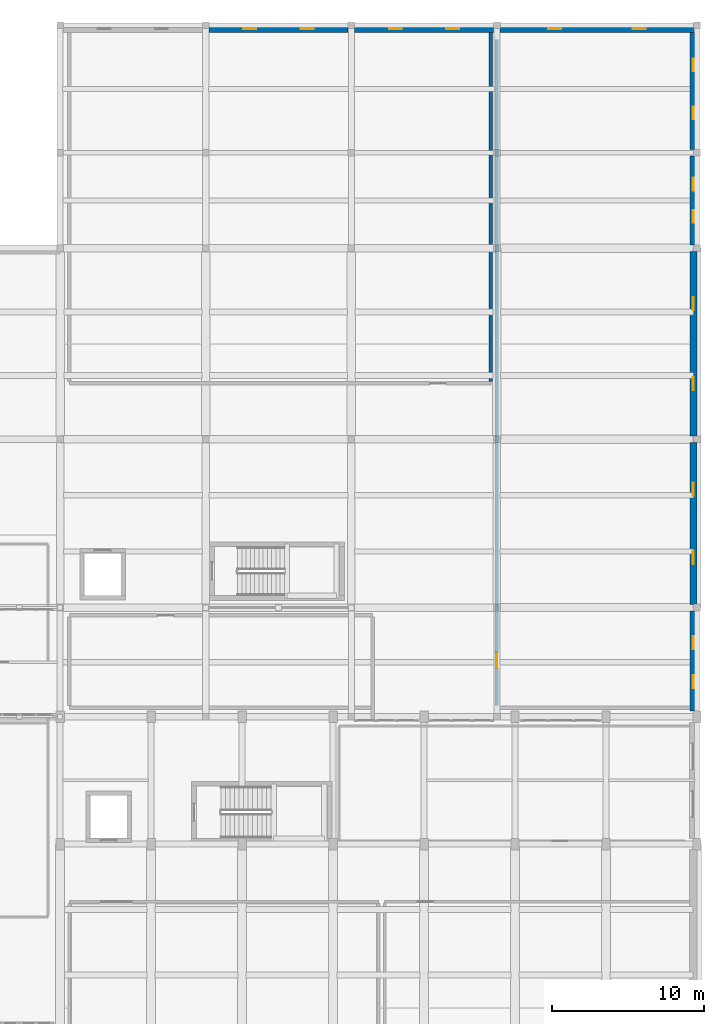
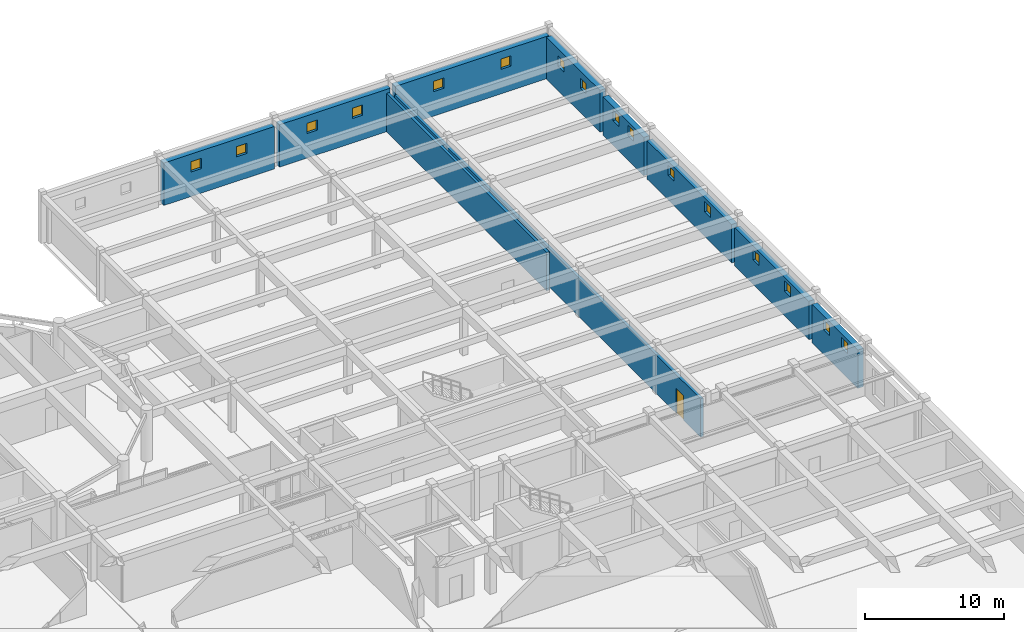
# One storey, part 73 of 92: 16 windows, 10 walls, 1 door, 17 openings.
"""IFC4 building model written with IfcOpenShell, lengths in metres."""

from ifc_helpers import new_model, si_unit, direction, frame, frame_2d, origin, place, context, subcontext, project, spatial, rectangle, extrude, material, layer, layer_set, type_object, element, fill, save


model = new_model("IFC4")

# Units and contexts
model_context = context("Model", 3, precision=1e-05, world=origin(), true_north=direction((0.0, 1.0)))
body_context = subcontext(model_context, "Body", "Model", "MODEL_VIEW")
ifc_project = project(units=[si_unit("LENGTHUNIT", "METRE"), si_unit("AREAUNIT", "SQUARE_METRE"), si_unit("VOLUMEUNIT", "CUBIC_METRE"), si_unit("PLANEANGLEUNIT", "RADIAN"), si_unit("MASSUNIT", "GRAM", prefix="KILO")], contexts=[model_context])

# Site, building, storey
site_placement = place(None, origin())
site = spatial("IfcSite", under=ifc_project, at=site_placement, CompositionType="ELEMENT")
building_placement = place(site_placement, origin())
building = spatial("IfcBuilding", under=site, at=building_placement, Name="Tarnavel Promenade Courthouse", CompositionType="ELEMENT")
storey_placement = place(building_placement, frame((0.0, 0.0, 5.39990234375)))
storey = spatial("IfcBuildingStorey", under=building, at=storey_placement, Name="L02", CompositionType="ELEMENT", Elevation=5.39990234375)

# Wall, openings, windows
ifc_material_1 = material(Name="Concrete C40/50", Category="concrete")
ifc_layer_1 = layer(ifc_material_1, 0.4599609375)
ifc_layer_set_1 = layer_set([ifc_layer_1], Name="Concrete C40/50")
wall_type_1 = type_object("IfcWallType", Name="Concrete C40/50 WL-SEC-460 (460 mm)", PredefinedType="STANDARD", material=ifc_layer_set_1)
wall_1_placement = place(storey_placement, frame((129.81201171875, 112.56005859375, 0.0), z_axis=(0.0, 0.0, 1.0), x_axis=(1.0, 0.0, 0.0)))
wall_1 = element("IfcWall", 1, at=wall_1_placement, inside=storey, type_object=wall_type_1, Name="L02 Custody Block North Security Wall 0413", PredefinedType="STANDARD", context=body_context, shape_type="SweptSolid", body=[
    extrude(rectangle(XDim=9.1708984375, YDim=0.4599609375, at=frame_2d((4.58544921875, 0.0))), origin(), (0.0, 0.0, 1.0), 3.72021484375),
])
opening_1_placement = place(wall_1_placement, frame((2.278076171875, 0.0, 2.14990234375)))
opening_1 = element("IfcOpeningElement", 2, at=opening_1_placement, cuts=wall_1, Name="Opening W-11", PredefinedType="OPENING", context=body_context, shape_type="SweptSolid", body=[
    extrude(rectangle(XDim=0.85009765625, YDim=0.89990234375, at=frame_2d((0.425048828125, 0.449951171875))), frame((0.0, 0.239990234375, 0.0), z_axis=(0.0, -1.0, 0.0), x_axis=(1.0, 0.0, 0.0)), (0.0, 0.0, 1.0), 0.47998046875),
])
opening_2_placement = place(wall_1_placement, frame((6.048095703125, 0.0, 2.14990234375)))
opening_2 = element("IfcOpeningElement", 3, at=opening_2_placement, cuts=wall_1, Name="Opening W-11", PredefinedType="OPENING", context=body_context, shape_type="SweptSolid", body=[
    extrude(rectangle(XDim=0.85009765625, YDim=0.89990234375, at=frame_2d((0.425048828125, 0.449951171875))), frame((0.0, 0.239990234375, 0.0), z_axis=(0.0, -1.0, 0.0), x_axis=(1.0, 0.0, 0.0)), (0.0, 0.0, 1.0), 0.47998046875),
])
ifc_material_2 = material(Name="Triple Low-E Glazed Bronze-Clad Window Assembly")
window_type = type_object("IfcWindowType", Name="Triple-Glazed Bronze-Clad Timber-Aluminium WIN-CUS-0850x0900", PartitioningType="SINGLE_PANEL", PredefinedType="WINDOW", material=ifc_material_2)
window_1_placement = place(opening_1_placement, origin())
window_1 = element("IfcWindow", 4, at=window_1_placement, inside=storey, type_object=window_type, Name="L02 Exterior Window 0505", OverallHeight=0.89990234375, OverallWidth=0.85009765625, PartitioningType="SINGLE_PANEL", PredefinedType="WINDOW", context=body_context, shape_type="SweptSolid", body=[
    extrude(rectangle(XDim=0.85009765625, YDim=0.89990234375, at=frame_2d((0.425048828125, 0.449951171875))), frame((0.0, 0.030029296875, 0.0), z_axis=(0.0, -1.0, 0.0), x_axis=(1.0, 0.0, 0.0)), (0.0, 0.0, 1.0), 0.06005859375),
])
fill(opening_1, window_1)
window_2_placement = place(opening_2_placement, origin())
window_2 = element("IfcWindow", 5, at=window_2_placement, inside=storey, type_object=window_type, Name="L02 Exterior Window 0506", OverallHeight=0.89990234375, OverallWidth=0.85009765625, PartitioningType="SINGLE_PANEL", PredefinedType="WINDOW", context=body_context, shape_type="SweptSolid", body=[
    extrude(rectangle(XDim=0.85009765625, YDim=0.89990234375, at=frame_2d((0.425048828125, 0.449951171875))), frame((0.0, 0.030029296875, 0.0), z_axis=(0.0, -1.0, 0.0), x_axis=(1.0, 0.0, 0.0)), (0.0, 0.0, 1.0), 0.06005859375),
])
fill(opening_2, window_2)

wall_2_placement = place(storey_placement, frame((139.412109375, 112.56005859375, 0.0), z_axis=(0.0, 0.0, 1.0), x_axis=(1.0, 0.0, 0.0)))
wall_2 = element("IfcWall", 6, at=wall_2_placement, inside=storey, type_object=wall_type_1, Name="L02 Custody Block North Security Wall 0414", PredefinedType="STANDARD", context=body_context, shape_type="SweptSolid", body=[
    extrude(rectangle(XDim=9.17578125, YDim=0.4599609375, at=frame_2d((4.587890625, 0.0))), origin(), (0.0, 0.0, 1.0), 3.72021484375),
])
opening_3_placement = place(wall_2_placement, frame((2.278076171875, 0.0, 2.14990234375)))
opening_3 = element("IfcOpeningElement", 7, at=opening_3_placement, cuts=wall_2, Name="Opening W-11", PredefinedType="OPENING", context=body_context, shape_type="SweptSolid", body=[
    extrude(rectangle(XDim=0.85009765625, YDim=0.89990234375, at=frame_2d((0.425048828125, 0.449951171875))), frame((0.0, 0.239990234375, 0.0), z_axis=(0.0, -1.0, 0.0), x_axis=(1.0, 0.0, 0.0)), (0.0, 0.0, 1.0), 0.47998046875),
])
opening_4_placement = place(wall_2_placement, frame((6.048095703125, 0.0, 2.14990234375)))
opening_4 = element("IfcOpeningElement", 8, at=opening_4_placement, cuts=wall_2, Name="Opening W-11", PredefinedType="OPENING", context=body_context, shape_type="SweptSolid", body=[
    extrude(rectangle(XDim=0.85009765625, YDim=0.89990234375, at=frame_2d((0.425048828125, 0.449951171875))), frame((0.0, 0.239990234375, 0.0), z_axis=(0.0, -1.0, 0.0), x_axis=(1.0, 0.0, 0.0)), (0.0, 0.0, 1.0), 0.47998046875),
])
window_3_placement = place(opening_3_placement, origin())
window_3 = element("IfcWindow", 9, at=window_3_placement, inside=storey, type_object=window_type, Name="L02 Exterior Window 0507", OverallHeight=0.89990234375, OverallWidth=0.85009765625, PartitioningType="SINGLE_PANEL", PredefinedType="WINDOW", context=body_context, shape_type="SweptSolid", body=[
    extrude(rectangle(XDim=0.85009765625, YDim=0.89990234375, at=frame_2d((0.425048828125, 0.449951171875))), frame((0.0, 0.030029296875, 0.0), z_axis=(0.0, -1.0, 0.0), x_axis=(1.0, 0.0, 0.0)), (0.0, 0.0, 1.0), 0.06005859375),
])
fill(opening_3, window_3)
window_4_placement = place(opening_4_placement, origin())
window_4 = element("IfcWindow", 10, at=window_4_placement, inside=storey, type_object=window_type, Name="L02 Exterior Window 0508", OverallHeight=0.89990234375, OverallWidth=0.85009765625, PartitioningType="SINGLE_PANEL", PredefinedType="WINDOW", context=body_context, shape_type="SweptSolid", body=[
    extrude(rectangle(XDim=0.85009765625, YDim=0.89990234375, at=frame_2d((0.425048828125, 0.449951171875))), frame((0.0, 0.030029296875, 0.0), z_axis=(0.0, -1.0, 0.0), x_axis=(1.0, 0.0, 0.0)), (0.0, 0.0, 1.0), 0.06005859375),
])
fill(opening_4, window_4)

wall_3_placement = place(storey_placement, frame((149.01708984375, 112.56005859375, 0.0), z_axis=(0.0, 0.0, 1.0), x_axis=(1.0, 0.0, 0.0)))
wall_3 = element("IfcWall", 11, at=wall_3_placement, inside=storey, type_object=wall_type_1, Name="L02 Custody Block North Security Wall 0415", PredefinedType="STANDARD", context=body_context, shape_type="SweptSolid", body=[
    extrude(rectangle(XDim=12.765869140625, YDim=0.4599609375, at=frame_2d((6.3828125, 0.0))), origin(), (0.0, 0.0, 1.0), 3.72021484375),
])
opening_5_placement = place(wall_3_placement, frame((3.173095703125, 0.0, 2.14990234375)))
opening_5 = element("IfcOpeningElement", 12, at=opening_5_placement, cuts=wall_3, Name="Opening W-11", PredefinedType="OPENING", context=body_context, shape_type="SweptSolid", body=[
    extrude(rectangle(XDim=0.85009765625, YDim=0.89990234375, at=frame_2d((0.425048828125, 0.449951171875))), frame((0.0, 0.239990234375, 0.0), z_axis=(0.0, -1.0, 0.0), x_axis=(1.0, 0.0, 0.0)), (0.0, 0.0, 1.0), 0.47998046875),
])
opening_6_placement = place(wall_3_placement, frame((8.742919921875, 0.0, 2.14990234375)))
opening_6 = element("IfcOpeningElement", 13, at=opening_6_placement, cuts=wall_3, Name="Opening W-11", PredefinedType="OPENING", context=body_context, shape_type="SweptSolid", body=[
    extrude(rectangle(XDim=0.85009765625, YDim=0.89990234375, at=frame_2d((0.425048828125, 0.449951171875))), frame((0.0, 0.239990234375, 0.0), z_axis=(0.0, -1.0, 0.0), x_axis=(1.0, 0.0, 0.0)), (0.0, 0.0, 1.0), 0.47998046875),
])
window_5_placement = place(opening_5_placement, origin())
window_5 = element("IfcWindow", 14, at=window_5_placement, inside=storey, type_object=window_type, Name="L02 Exterior Window 0509", OverallHeight=0.89990234375, OverallWidth=0.85009765625, PartitioningType="SINGLE_PANEL", PredefinedType="WINDOW", context=body_context, shape_type="SweptSolid", body=[
    extrude(rectangle(XDim=0.85009765625, YDim=0.89990234375, at=frame_2d((0.425048828125, 0.449951171875))), frame((0.0, 0.030029296875, 0.0), z_axis=(0.0, -1.0, 0.0), x_axis=(1.0, 0.0, 0.0)), (0.0, 0.0, 1.0), 0.06005859375),
])
fill(opening_5, window_5)
window_6_placement = place(opening_6_placement, origin())
window_6 = element("IfcWindow", 15, at=window_6_placement, inside=storey, type_object=window_type, Name="L02 Exterior Window 0510", OverallHeight=0.89990234375, OverallWidth=0.85009765625, PartitioningType="SINGLE_PANEL", PredefinedType="WINDOW", context=body_context, shape_type="SweptSolid", body=[
    extrude(rectangle(XDim=0.85009765625, YDim=0.89990234375, at=frame_2d((0.425048828125, 0.449951171875))), frame((0.0, 0.030029296875, 0.0), z_axis=(0.0, -1.0, 0.0), x_axis=(1.0, 0.0, 0.0)), (0.0, 0.0, 1.0), 0.06005859375),
])
fill(opening_6, window_6)

wall_4_placement = place(storey_placement, frame((161.760009765625, 74.18798828125, 0.0), z_axis=(0.0, 0.0, 1.0), x_axis=(0.0, -1.0, 0.0)))
wall_4 = element("IfcWall", 16, at=wall_4_placement, inside=storey, type_object=wall_type_1, Name="L02 Custody Block East Security Wall 0416", PredefinedType="STANDARD", context=body_context, shape_type="SweptSolid", body=[
    extrude(rectangle(XDim=6.62109375, YDim=0.4599609375, at=frame_2d((3.310546875, 0.0))), origin(), (0.0, 0.0, 1.0), 3.3701171875),
])
opening_7_placement = place(wall_4_placement, frame((1.677978515625, 0.0, 2.14990234375)))
opening_7 = element("IfcOpeningElement", 17, at=opening_7_placement, cuts=wall_4, Name="Opening W-11", PredefinedType="OPENING", context=body_context, shape_type="SweptSolid", body=[
    extrude(rectangle(XDim=0.85009765625, YDim=0.89990234375, at=frame_2d((0.425048828125, 0.449951171875))), frame((0.0, 0.239990234375, 0.0), z_axis=(0.0, -1.0, 0.0), x_axis=(1.0, 0.0, 0.0)), (0.0, 0.0, 1.0), 0.47998046875),
])
opening_8_placement = place(wall_4_placement, frame((4.248046875, 0.0, 2.14990234375)))
opening_8 = element("IfcOpeningElement", 18, at=opening_8_placement, cuts=wall_4, Name="Opening W-11", PredefinedType="OPENING", context=body_context, shape_type="SweptSolid", body=[
    extrude(rectangle(XDim=0.85009765625, YDim=0.89990234375, at=frame_2d((0.425048828125, 0.449951171875))), frame((0.0, 0.239990234375, 0.0), z_axis=(0.0, -1.0, 0.0), x_axis=(1.0, 0.0, 0.0)), (0.0, 0.0, 1.0), 0.47998046875),
])
window_7_placement = place(opening_7_placement, origin())
window_7 = element("IfcWindow", 19, at=window_7_placement, inside=storey, type_object=window_type, Name="L02 Exterior Window 0511", OverallHeight=0.89990234375, OverallWidth=0.85009765625, PartitioningType="SINGLE_PANEL", PredefinedType="WINDOW", context=body_context, shape_type="SweptSolid", body=[
    extrude(rectangle(XDim=0.85009765625, YDim=0.89990234375, at=frame_2d((0.425048828125, 0.449951171875))), frame((0.0, 0.030029296875, 0.0), z_axis=(0.0, -1.0, 0.0), x_axis=(1.0, 0.0, 0.0)), (0.0, 0.0, 1.0), 0.06005859375),
])
fill(opening_7, window_7)
window_8_placement = place(opening_8_placement, origin())
window_8 = element("IfcWindow", 20, at=window_8_placement, inside=storey, type_object=window_type, Name="L02 Exterior Window 0512", OverallHeight=0.89990234375, OverallWidth=0.85009765625, PartitioningType="SINGLE_PANEL", PredefinedType="WINDOW", context=body_context, shape_type="SweptSolid", body=[
    extrude(rectangle(XDim=0.85009765625, YDim=0.89990234375, at=frame_2d((0.425048828125, 0.449951171875))), frame((0.0, 0.030029296875, 0.0), z_axis=(0.0, -1.0, 0.0), x_axis=(1.0, 0.0, 0.0)), (0.0, 0.0, 1.0), 0.06005859375),
])
fill(opening_8, window_8)

wall_5_placement = place(storey_placement, frame((161.760009765625, 85.2880859375, 0.0), z_axis=(0.0, 0.0, 1.0), x_axis=(0.0, -1.0, 0.0)))
wall_5 = element("IfcWall", 21, at=wall_5_placement, inside=storey, type_object=wall_type_1, Name="L02 Custody Block East Security Wall 0417", PredefinedType="STANDARD", context=body_context, shape_type="SweptSolid", body=[
    extrude(rectangle(XDim=10.671142578125, YDim=0.4599609375, at=frame_2d((5.33544921875, 0.0))), origin(), (0.0, 0.0, 1.0), 3.3701171875),
])
opening_9_placement = place(wall_5_placement, frame((2.653076171875, 0.0, 2.14990234375)))
opening_9 = element("IfcOpeningElement", 22, at=opening_9_placement, cuts=wall_5, Name="Opening W-11", PredefinedType="OPENING", context=body_context, shape_type="SweptSolid", body=[
    extrude(rectangle(XDim=0.85009765625, YDim=0.89990234375, at=frame_2d((0.425048828125, 0.449951171875))), frame((0.0, 0.239990234375, 0.0), z_axis=(0.0, -1.0, 0.0), x_axis=(1.0, 0.0, 0.0)), (0.0, 0.0, 1.0), 0.47998046875),
])
opening_10_placement = place(wall_5_placement, frame((7.173095703125, 0.0, 2.14990234375)))
opening_10 = element("IfcOpeningElement", 23, at=opening_10_placement, cuts=wall_5, Name="Opening W-11", PredefinedType="OPENING", context=body_context, shape_type="SweptSolid", body=[
    extrude(rectangle(XDim=0.85009765625, YDim=0.89990234375, at=frame_2d((0.425048828125, 0.449951171875))), frame((0.0, 0.239990234375, 0.0), z_axis=(0.0, -1.0, 0.0), x_axis=(1.0, 0.0, 0.0)), (0.0, 0.0, 1.0), 0.47998046875),
])
window_9_placement = place(opening_9_placement, origin())
window_9 = element("IfcWindow", 24, at=window_9_placement, inside=storey, type_object=window_type, Name="L02 Exterior Window 0513", OverallHeight=0.89990234375, OverallWidth=0.85009765625, PartitioningType="SINGLE_PANEL", PredefinedType="WINDOW", context=body_context, shape_type="SweptSolid", body=[
    extrude(rectangle(XDim=0.85009765625, YDim=0.89990234375, at=frame_2d((0.425048828125, 0.449951171875))), frame((0.0, 0.030029296875, 0.0), z_axis=(0.0, -1.0, 0.0), x_axis=(1.0, 0.0, 0.0)), (0.0, 0.0, 1.0), 0.06005859375),
])
fill(opening_9, window_9)
window_10_placement = place(opening_10_placement, origin())
window_10 = element("IfcWindow", 25, at=window_10_placement, inside=storey, type_object=window_type, Name="L02 Exterior Window 0514", OverallHeight=0.89990234375, OverallWidth=0.85009765625, PartitioningType="SINGLE_PANEL", PredefinedType="WINDOW", context=body_context, shape_type="SweptSolid", body=[
    extrude(rectangle(XDim=0.85009765625, YDim=0.89990234375, at=frame_2d((0.425048828125, 0.449951171875))), frame((0.0, 0.030029296875, 0.0), z_axis=(0.0, -1.0, 0.0), x_axis=(1.0, 0.0, 0.0)), (0.0, 0.0, 1.0), 0.06005859375),
])
fill(opening_10, window_10)

wall_6_placement = place(storey_placement, frame((161.760009765625, 97.883056640625, 0.0), z_axis=(0.0, 0.0, 1.0), x_axis=(0.0, -1.0, 0.0)))
wall_6 = element("IfcWall", 26, at=wall_6_placement, inside=storey, type_object=wall_type_1, Name="L02 Custody Block East Security Wall 0418", PredefinedType="STANDARD", context=body_context, shape_type="SweptSolid", body=[
    extrude(rectangle(XDim=12.171142578125, YDim=0.4599609375, at=frame_2d((6.08544921875, 0.0))), origin(), (0.0, 0.0, 1.0), 3.3701171875),
])
opening_11_placement = place(wall_6_placement, frame((3.02294921875, 0.0, 2.14990234375)))
opening_11 = element("IfcOpeningElement", 27, at=opening_11_placement, cuts=wall_6, Name="Opening W-11", PredefinedType="OPENING", context=body_context, shape_type="SweptSolid", body=[
    extrude(rectangle(XDim=0.85009765625, YDim=0.89990234375, at=frame_2d((0.425048828125, 0.449951171875))), frame((0.0, 0.239990234375, 0.0), z_axis=(0.0, -1.0, 0.0), x_axis=(1.0, 0.0, 0.0)), (0.0, 0.0, 1.0), 0.47998046875),
])
opening_12_placement = place(wall_6_placement, frame((8.29296875, 0.0, 2.14990234375)))
opening_12 = element("IfcOpeningElement", 28, at=opening_12_placement, cuts=wall_6, Name="Opening W-11", PredefinedType="OPENING", context=body_context, shape_type="SweptSolid", body=[
    extrude(rectangle(XDim=0.85009765625, YDim=0.89990234375, at=frame_2d((0.425048828125, 0.449951171875))), frame((0.0, 0.239990234375, 0.0), z_axis=(0.0, -1.0, 0.0), x_axis=(1.0, 0.0, 0.0)), (0.0, 0.0, 1.0), 0.47998046875),
])
window_11_placement = place(opening_11_placement, origin())
window_11 = element("IfcWindow", 29, at=window_11_placement, inside=storey, type_object=window_type, Name="L02 Exterior Window 0515", OverallHeight=0.89990234375, OverallWidth=0.85009765625, PartitioningType="SINGLE_PANEL", PredefinedType="WINDOW", context=body_context, shape_type="SweptSolid", body=[
    extrude(rectangle(XDim=0.85009765625, YDim=0.89990234375, at=frame_2d((0.425048828125, 0.449951171875))), frame((0.0, 0.030029296875, 0.0), z_axis=(0.0, -1.0, 0.0), x_axis=(1.0, 0.0, 0.0)), (0.0, 0.0, 1.0), 0.06005859375),
])
fill(opening_11, window_11)
window_12_placement = place(opening_12_placement, origin())
window_12 = element("IfcWindow", 30, at=window_12_placement, inside=storey, type_object=window_type, Name="L02 Exterior Window 0516", OverallHeight=0.89990234375, OverallWidth=0.85009765625, PartitioningType="SINGLE_PANEL", PredefinedType="WINDOW", context=body_context, shape_type="SweptSolid", body=[
    extrude(rectangle(XDim=0.85009765625, YDim=0.89990234375, at=frame_2d((0.425048828125, 0.449951171875))), frame((0.0, 0.030029296875, 0.0), z_axis=(0.0, -1.0, 0.0), x_axis=(1.0, 0.0, 0.0)), (0.0, 0.0, 1.0), 0.06005859375),
])
fill(opening_12, window_12)

wall_7_placement = place(storey_placement, frame((161.760009765625, 104.18798828125, 0.0), z_axis=(0.0, 0.0, 1.0), x_axis=(0.0, -1.0, 0.0)))
wall_7 = element("IfcWall", 31, at=wall_7_placement, inside=storey, type_object=wall_type_1, Name="L02 Custody Block East Security Wall 0419", PredefinedType="STANDARD", context=body_context, shape_type="SweptSolid", body=[
    extrude(rectangle(XDim=5.8759765625, YDim=0.4599609375, at=frame_2d((2.93798828125, 0.0))), origin(), (0.0, 0.0, 1.0), 3.3701171875),
])
opening_13_placement = place(wall_7_placement, frame((1.452880859375, 0.0, 2.14990234375)))
opening_13 = element("IfcOpeningElement", 32, at=opening_13_placement, cuts=wall_7, Name="Opening W-11", PredefinedType="OPENING", context=body_context, shape_type="SweptSolid", body=[
    extrude(rectangle(XDim=0.85009765625, YDim=0.89990234375, at=frame_2d((0.425048828125, 0.449951171875))), frame((0.0, 0.239990234375, 0.0), z_axis=(0.0, -1.0, 0.0), x_axis=(1.0, 0.0, 0.0)), (0.0, 0.0, 1.0), 0.47998046875),
])
opening_14_placement = place(wall_7_placement, frame((3.572998046875, 0.0, 2.14990234375)))
opening_14 = element("IfcOpeningElement", 33, at=opening_14_placement, cuts=wall_7, Name="Opening W-11", PredefinedType="OPENING", context=body_context, shape_type="SweptSolid", body=[
    extrude(rectangle(XDim=0.85009765625, YDim=0.89990234375, at=frame_2d((0.425048828125, 0.449951171875))), frame((0.0, 0.239990234375, 0.0), z_axis=(0.0, -1.0, 0.0), x_axis=(1.0, 0.0, 0.0)), (0.0, 0.0, 1.0), 0.47998046875),
])
window_13_placement = place(opening_13_placement, origin())
window_13 = element("IfcWindow", 34, at=window_13_placement, inside=storey, type_object=window_type, Name="L02 Exterior Window 0517", OverallHeight=0.89990234375, OverallWidth=0.85009765625, PartitioningType="SINGLE_PANEL", PredefinedType="WINDOW", context=body_context, shape_type="SweptSolid", body=[
    extrude(rectangle(XDim=0.85009765625, YDim=0.89990234375, at=frame_2d((0.425048828125, 0.449951171875))), frame((0.0, 0.030029296875, 0.0), z_axis=(0.0, -1.0, 0.0), x_axis=(1.0, 0.0, 0.0)), (0.0, 0.0, 1.0), 0.06005859375),
])
fill(opening_13, window_13)
window_14_placement = place(opening_14_placement, origin())
window_14 = element("IfcWindow", 35, at=window_14_placement, inside=storey, type_object=window_type, Name="L02 Exterior Window 0518", OverallHeight=0.89990234375, OverallWidth=0.85009765625, PartitioningType="SINGLE_PANEL", PredefinedType="WINDOW", context=body_context, shape_type="SweptSolid", body=[
    extrude(rectangle(XDim=0.85009765625, YDim=0.89990234375, at=frame_2d((0.425048828125, 0.449951171875))), frame((0.0, 0.030029296875, 0.0), z_axis=(0.0, -1.0, 0.0), x_axis=(1.0, 0.0, 0.0)), (0.0, 0.0, 1.0), 0.06005859375),
])
fill(opening_14, window_14)

wall_8_placement = place(storey_placement, frame((161.760009765625, 112.320068359375, 0.0), z_axis=(0.0, 0.0, 1.0), x_axis=(0.0, -1.0, 0.0)))
wall_8 = element("IfcWall", 36, at=wall_8_placement, inside=storey, type_object=wall_type_1, Name="L02 Custody Block East Security Wall 0420", PredefinedType="STANDARD", context=body_context, shape_type="SweptSolid", body=[
    extrude(rectangle(XDim=7.703125, YDim=0.4599609375, at=frame_2d((3.8515625, 0.0))), origin(), (0.0, 0.0, 1.0), 3.670166015625),
])
opening_15_placement = place(wall_8_placement, frame((1.7099609375, 0.0, 2.14990234375)))
opening_15 = element("IfcOpeningElement", 37, at=opening_15_placement, cuts=wall_8, Name="Opening W-11", PredefinedType="OPENING", context=body_context, shape_type="SweptSolid", body=[
    extrude(rectangle(XDim=0.85009765625, YDim=0.89990234375, at=frame_2d((0.425048828125, 0.449951171875))), frame((0.0, 0.239990234375, 0.0), z_axis=(0.0, -1.0, 0.0), x_axis=(1.0, 0.0, 0.0)), (0.0, 0.0, 1.0), 0.47998046875),
])
opening_16_placement = place(wall_8_placement, frame((4.8798828125, 0.0, 2.14990234375)))
opening_16 = element("IfcOpeningElement", 38, at=opening_16_placement, cuts=wall_8, Name="Opening W-11", PredefinedType="OPENING", context=body_context, shape_type="SweptSolid", body=[
    extrude(rectangle(XDim=0.85009765625, YDim=0.89990234375, at=frame_2d((0.425048828125, 0.449951171875))), frame((0.0, 0.239990234375, 0.0), z_axis=(0.0, -1.0, 0.0), x_axis=(1.0, 0.0, 0.0)), (0.0, 0.0, 1.0), 0.47998046875),
])
window_15_placement = place(opening_15_placement, origin())
window_15 = element("IfcWindow", 39, at=window_15_placement, inside=storey, type_object=window_type, Name="L02 Exterior Window 0519", OverallHeight=0.89990234375, OverallWidth=0.85009765625, PartitioningType="SINGLE_PANEL", PredefinedType="WINDOW", context=body_context, shape_type="SweptSolid", body=[
    extrude(rectangle(XDim=0.85009765625, YDim=0.89990234375, at=frame_2d((0.425048828125, 0.449951171875))), frame((0.0, 0.030029296875, 0.0), z_axis=(0.0, -1.0, 0.0), x_axis=(1.0, 0.0, 0.0)), (0.0, 0.0, 1.0), 0.06005859375),
])
fill(opening_15, window_15)
window_16_placement = place(opening_16_placement, origin())
window_16 = element("IfcWindow", 40, at=window_16_placement, inside=storey, type_object=window_type, Name="L02 Exterior Window 0520", OverallHeight=0.89990234375, OverallWidth=0.85009765625, PartitioningType="SINGLE_PANEL", PredefinedType="WINDOW", context=body_context, shape_type="SweptSolid", body=[
    extrude(rectangle(XDim=0.85009765625, YDim=0.89990234375, at=frame_2d((0.425048828125, 0.449951171875))), frame((0.0, 0.030029296875, 0.0), z_axis=(0.0, -1.0, 0.0), x_axis=(1.0, 0.0, 0.0)), (0.0, 0.0, 1.0), 0.06005859375),
])
fill(opening_16, window_16)

# Wall, opening, door
ifc_material_3 = material(Name="Concrete Masonry Fire Compartment Wall", Category="masonry")
ifc_layer_2 = layer(ifc_material_3, 0.22998046875)
ifc_layer_set_2 = layer_set([ifc_layer_2], Name="Concrete Masonry Fire Compartment Wall")
wall_type_2 = type_object("IfcWallType", Name="Concrete Masonry Fire Compartment Wall WL-CMP-230 (230 mm)", PredefinedType="STANDARD", material=ifc_layer_set_2)
wall_9_placement = place(storey_placement, frame((148.800048828125, 67.925048828125, 0.0), z_axis=(0.0, 0.0, 1.0), x_axis=(0.0, 1.0, 0.0)))
wall_9 = element("IfcWall", 41, at=wall_9_placement, inside=storey, type_object=wall_type_2, Name="L02 Non-Contact Legal Interview Suite Partition 0366", PredefinedType="STANDARD", context=body_context, shape_type="SweptSolid", body=[
    extrude(rectangle(XDim=43.949951171875, YDim=0.22998046875, at=frame_2d((21.97509765625, 0.0))), origin(), (0.0, 0.0, 1.0), 3.3701171875),
])
opening_17_placement = place(wall_9_placement, frame((2.4599609375, 0.0, 0.0)))
opening_17 = element("IfcOpeningElement", 42, at=opening_17_placement, cuts=wall_9, Name="Opening SD-01", PredefinedType="OPENING", context=body_context, shape_type="SweptSolid", body=[
    extrude(rectangle(XDim=1.050048828125, YDim=2.14990234375, at=frame_2d((0.52490234375, 1.074951171875))), frame((0.0, 0.125, 0.0), z_axis=(0.0, -1.0, 0.0), x_axis=(1.0, 0.0, 0.0)), (0.0, 0.0, 1.0), 0.25),
])
ifc_material_4 = material(Name="Reinforced Steel Custody Cell Security Door", Category="concrete")
door_type = type_object("IfcDoorType", Name="Reinforced Steel Custody Cell Security Door (DR-CUS-1050x2150)", OperationType="NOTDEFINED", PredefinedType="DOOR", material=ifc_material_4)
door_placement = place(opening_17_placement, origin())
door = element("IfcDoor", 43, at=door_placement, inside=storey, type_object=door_type, Name="L02 Non-Contact Legal Interview Suite Door 0105", OperationType="SINGLE_SWING_RIGHT", OverallHeight=2.14990234375, OverallWidth=1.050048828125, PredefinedType="DOOR", context=body_context, shape_type="SweptSolid", body=[
    extrude(rectangle(XDim=1.050048828125, YDim=2.14990234375, at=frame_2d((0.52490234375, 1.074951171875))), frame((0.0, 0.02490234375, 0.0), z_axis=(0.0, -1.0, 0.0), x_axis=(1.0, 0.0, 0.0)), (0.0, 0.0, 1.0), 0.050048828125),
])
fill(opening_17, door)

# Wall
wall_10_placement = place(storey_placement, frame((148.39990234375, 112.3359375, 0.0), z_axis=(0.0, 0.0, 1.0), x_axis=(0.0, -1.0, 0.0)))
element("IfcWall", 44, at=wall_10_placement, inside=storey, type_object=wall_type_2, Name="L02 Court Security Control and Marshals' Briefing Room Partition 0369", PredefinedType="STANDARD", context=body_context, shape_type="SweptSolid", body=[
    extrude(rectangle(XDim=23.010986328125, YDim=0.22998046875, at=frame_2d((11.50537109375, 0.0))), origin(), (0.0, 0.0, 1.0), 3.3701171875),
])

save(model, "model.ifc")
